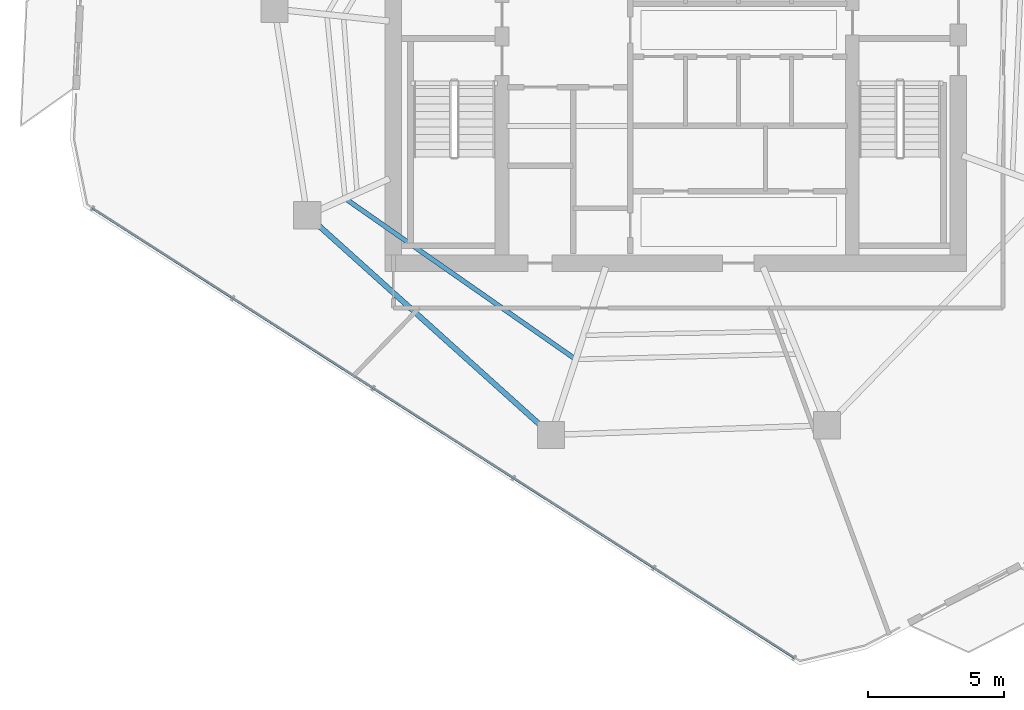
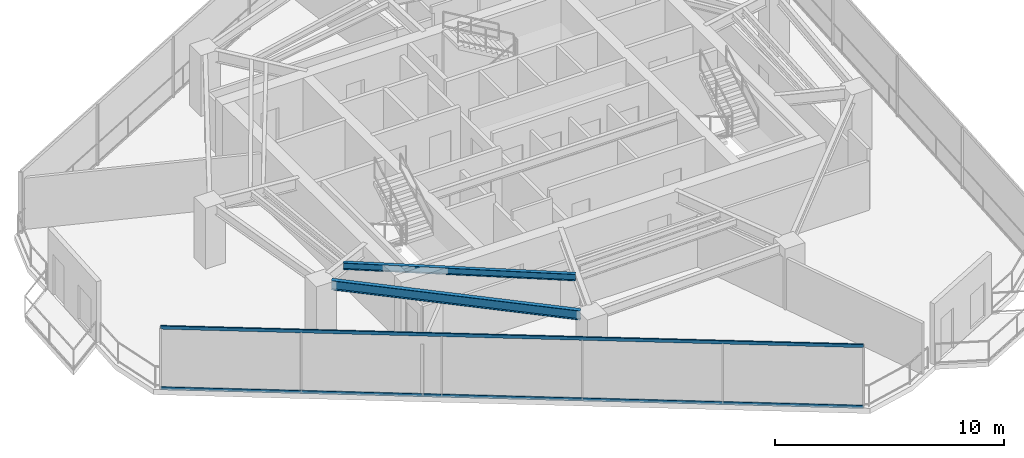
# One storey, part 3 of 20: 2 beams, 2 members, 1 element without a shape of its own.
"""IFC4 building model written with IfcOpenShell, lengths in metres."""

import ifcopenshell
import ifcopenshell.guid

model = None  # the IFC model being written
_history = None  # IfcOwnerHistory: only IFC2X3 demands one
_inside = {}  # id of a spatial element -> (the spatial element, [elements in it])
_under = {}  # id of a project, library or spatial element -> (it, [spatial elements below it])
_declared = {}  # id of a project -> (the project, [libraries it declares])
_typed = {}  # id of a type object -> (the type object, [elements of that type])
_made_of = {}  # id of a material, layer set ... -> (it, [elements and type objects made of it])


def new_model(schema):
    """Start an empty IFC model of exactly this schema.

    Asked for "IFC4X3", IfcOpenShell would pick the latest addendum, in which some entities
    have other attributes; the version numbers below select the first issue.
    IFC2X3 requires an IfcOwnerHistory on every rooted entity: one is made here for all.
    """
    global model, _history
    if schema == "IFC4X3":
        model = ifcopenshell.file(schema_version=(4, 3, 0, 0))
    else:
        model = ifcopenshell.file(schema=schema)
    _inside.clear()
    _under.clear()
    _declared.clear()
    _typed.clear()
    _made_of.clear()
    _history = None
    if model.schema == "IFC2X3":
        org = make("IfcOrganization", Name="unknown")
        user = make(
            "IfcPersonAndOrganization",
            ThePerson=make("IfcPerson", FamilyName="unknown"),
            TheOrganization=org,
        )
        app = make(
            "IfcApplication",
            ApplicationDeveloper=org,
            Version="unknown",
            ApplicationFullName="unknown",
            ApplicationIdentifier="unknown",
        )
        _history = make(
            "IfcOwnerHistory",
            OwningUser=user,
            OwningApplication=app,
            ChangeAction="ADDED",
            CreationDate=0,
        )
    return model


def make(cls, **values):
    """One entity of the class cls with the attributes given. An attribute that is None is left unset."""
    return model.create_entity(
        cls, **{name: value for name, value in values.items() if value is not None}
    )


def rooted(cls, **values):
    """An entity with a GlobalId (a new one), such as an element, a storey or a relation."""
    return make(cls, GlobalId=ifcopenshell.guid.new(), OwnerHistory=_history, **values)


def si_unit(unit_type, name, prefix=None):
    """IfcSIUnit, for example si_unit("LENGTHUNIT", "METRE", prefix="MILLI")."""
    return make("IfcSIUnit", UnitType=unit_type, Prefix=prefix, Name=name)


def assignment(units):
    """IfcUnitAssignment: the units of a project."""
    return None if units is None else make("IfcUnitAssignment", Units=units)


def point(xyz):
    """IfcCartesianPoint."""
    return None if xyz is None else make("IfcCartesianPoint", Coordinates=xyz)


def direction(xyz):
    """IfcDirection."""
    return None if xyz is None else make("IfcDirection", DirectionRatios=xyz)


def frame(location, z_axis=None, x_axis=None):
    """IfcAxis2Placement3D, a coordinate frame: its origin and axes. An axis left out is left unset."""
    return make(
        "IfcAxis2Placement3D",
        Location=point(location),
        Axis=direction(z_axis),
        RefDirection=direction(x_axis),
    )


def frame_2d(location, x_axis=None):
    """IfcAxis2Placement2D, a coordinate frame in the plane: its origin and x axis."""
    return make(
        "IfcAxis2Placement2D", Location=point(location), RefDirection=direction(x_axis)
    )


def origin():
    """The frame at (0, 0, 0) with its axes left unset."""
    return frame((0.0, 0.0, 0.0))


def origin_2d():
    """The frame at (0, 0) in the plane with its x axis left unset."""
    return frame_2d((0.0, 0.0))


def place(relative_to, where):
    """IfcLocalPlacement: puts the frame where relative to a parent placement (None: the world)."""
    return make(
        "IfcLocalPlacement", PlacementRelTo=relative_to, RelativePlacement=where
    )


def context(
    kind, dimensions, precision=None, world=None, true_north=None, identifier=None
):
    """IfcGeometricRepresentationContext, for example the 3D "Model" context."""
    return make(
        "IfcGeometricRepresentationContext",
        ContextIdentifier=identifier,
        ContextType=kind,
        CoordinateSpaceDimension=dimensions,
        Precision=precision,
        WorldCoordinateSystem=world,
        TrueNorth=true_north,
    )


def subcontext(parent, identifier, kind, view, scale=None):
    """IfcGeometricRepresentationSubContext, for example "Body" below "Model"."""
    return make(
        "IfcGeometricRepresentationSubContext",
        ContextIdentifier=identifier,
        ContextType=kind,
        ParentContext=parent,
        TargetScale=scale,
        TargetView=view,
    )


def project(units=None, contexts=None):
    """IfcProject with its units and contexts."""
    return rooted(
        "IfcProject",
        Name="project",
        RepresentationContexts=contexts,
        UnitsInContext=assignment(units),
    )


def spatial(cls, under=None, at=None, **own):
    """A site, building, storey or space (cls), placed at a placement, below another one or the project."""
    s = rooted(cls, ObjectPlacement=at, **own)
    if under is not None:
        _under.setdefault(under.id(), (under, []))[1].append(s)
    return s


def profile(cls, at=None, kind="AREA", **sizes):
    """A parametric profile (cls). Its sizes go by their IFC names, for example OverallWidth=200.0."""
    return make(cls, ProfileType=kind, Position=at, **sizes)


def hollow_rectangle(**sizes):
    """IfcRectangleHollowProfileDef."""
    return profile("IfcRectangleHollowProfileDef", **sizes)


def i_section(**sizes):
    """IfcIShapeProfileDef."""
    return profile("IfcIShapeProfileDef", **sizes)


def extrude(swept, where, along, depth):
    """IfcExtrudedAreaSolid: the profile swept, set in the frame where, extruded along a direction by depth."""
    return make(
        "IfcExtrudedAreaSolid",
        SweptArea=swept,
        Position=where,
        ExtrudedDirection=direction(along),
        Depth=depth,
    )


def shape(context_of_items, identifier, shape_type, items):
    """IfcShapeRepresentation: the items that make up one representation, for example the "Body"."""
    return make(
        "IfcShapeRepresentation",
        ContextOfItems=context_of_items,
        RepresentationIdentifier=identifier,
        RepresentationType=shape_type,
        Items=items,
    )


def material(Name=None, Category=None):
    """IfcMaterial."""
    return make("IfcMaterial", Name=Name, Category=Category)


def layer(
    of_material, thickness, ventilated=None, Name=None, Category=None, Priority=None
):
    """IfcMaterialLayer: one layer of a wall or slab, of a material (None: an air gap)."""
    return make(
        "IfcMaterialLayer",
        Material=of_material,
        LayerThickness=thickness,
        IsVentilated=ventilated,
        Name=Name,
        Category=Category,
        Priority=Priority,
    )


def layer_set(layers, Name=None):
    """IfcMaterialLayerSet."""
    return make("IfcMaterialLayerSet", MaterialLayers=layers, LayerSetName=Name)


def material_profile(
    of_material, cross_section, Name=None, Category=None, Priority=None
):
    """IfcMaterialProfile: a cross section and its material."""
    return make(
        "IfcMaterialProfile",
        Name=Name,
        Material=of_material,
        Profile=cross_section,
        Priority=Priority,
        Category=Category,
    )


def profile_set(profiles, Name=None, composite=None):
    """IfcMaterialProfileSet."""
    return make(
        "IfcMaterialProfileSet",
        Name=Name,
        MaterialProfiles=profiles,
        CompositeProfile=composite,
    )


def made_of(thing, what):
    """Note that an element or type object is made of a material, layer set ...; save() writes the relation."""
    if what is not None:
        _made_of.setdefault(what.id(), (what, []))[1].append(thing)
    return thing


def type_object(cls, material=None, **own):
    """A type object (cls), such as IfcWallType, which elements share."""
    return made_of(rooted(cls, **own), material)


def element(
    cls,
    number,
    at=None,
    inside=None,
    cuts=None,
    type_object=None,
    material=None,
    context=None,
    identifier="Body",
    shape_type=None,
    held_by="IfcProductDefinitionShape",
    body=None,
    shapes=None,
    **own,
):
    """One element of the class cls, such as IfcWall. Its Tag is "e" and its number.

    at: its placement. inside: the storey or other place that contains it. cuts: it is an
    opening in that element (IfcRelVoidsElement). A single representation is given by context,
    identifier, shape_type and body (its items); several are given by shapes. held_by: the class
    of the entity that holds the representations. save() writes the other relations.
    """
    e = rooted(cls, Tag="e%d" % number, ObjectPlacement=at, **own)
    if body is not None:
        shapes = [shape(context, identifier, shape_type, body)]
    if shapes is not None:
        e.Representation = make(held_by, Representations=shapes)
    if inside is not None:
        _inside.setdefault(inside.id(), (inside, []))[1].append(e)
    if cuts is not None:
        rooted(
            "IfcRelVoidsElement", RelatingBuildingElement=cuts, RelatedOpeningElement=e
        )
    if type_object is not None:
        _typed.setdefault(type_object.id(), (type_object, []))[1].append(e)
    return made_of(e, material)


def aggregate(whole, parts):
    """IfcRelAggregates: a whole, such as a stair, and the parts it consists of."""
    return rooted("IfcRelAggregates", RelatingObject=whole, RelatedObjects=parts)


def save(model, path):
    """Write the relations noted so far, then the file.

    IfcRelAggregates (storeys below a building ...), IfcRelContainedInSpatialStructure (elements
    in a storey), IfcRelDefinesByType, IfcRelAssociatesMaterial and IfcRelDeclares: one each for
    every whole, place, type object, material and project.
    """
    for whole, parts in _under.values():
        aggregate(whole, parts)
    for where, things in _inside.values():
        rooted(
            "IfcRelContainedInSpatialStructure",
            RelatedElements=things,
            RelatingStructure=where,
        )
    for kind, things in _typed.values():
        rooted("IfcRelDefinesByType", RelatedObjects=things, RelatingType=kind)
    for what, things in _made_of.values():
        rooted("IfcRelAssociatesMaterial", RelatedObjects=things, RelatingMaterial=what)
    for by, libraries in _declared.values():
        rooted("IfcRelDeclares", RelatingContext=by, RelatedDefinitions=libraries)
    model.write(path)


model = new_model("IFC4")

# Units and contexts
model_context = context("Model", 3, precision=1e-05, world=origin(), true_north=direction((0.0, 1.0)))
body_context = subcontext(model_context, "Body", "Model", "MODEL_VIEW")
ifc_project = project(units=[si_unit("LENGTHUNIT", "METRE"), si_unit("AREAUNIT", "SQUARE_METRE"), si_unit("VOLUMEUNIT", "CUBIC_METRE"), si_unit("PLANEANGLEUNIT", "RADIAN"), si_unit("MASSUNIT", "GRAM", prefix="KILO")], contexts=[model_context])

# Site, building, storey
site_placement = place(None, origin())
site = spatial("IfcSite", under=ifc_project, at=site_placement, CompositionType="ELEMENT")
building_placement = place(site_placement, origin())
building = spatial("IfcBuilding", under=site, at=building_placement, Name="Qarnah Convention Tower", CompositionType="ELEMENT")
storey_placement = place(building_placement, frame((0.0, 0.0, 168.89990234375)))
storey = spatial("IfcBuildingStorey", under=building, at=storey_placement, Name="L45", CompositionType="ELEMENT", Elevation=168.89990234375)

# Beams
ifc_material_1 = material(Name="Structural steel S355JR", Category="steel")
ifc_material_profile_1 = material_profile(ifc_material_1, i_section(OverallWidth=0.172119140625, OverallDepth=0.35595703125, WebThickness=0.007080078125, FlangeThickness=0.011962890625, at=origin_2d()), Name="W360X51")
ifc_profile_set_1 = profile_set([ifc_material_profile_1], Name="Structural steel S355JR")
beam_type_1 = type_object("IfcBeamType", Name="BM-JST-W360", PredefinedType="JOIST", material=ifc_profile_set_1)
beam_1_placement = place(storey_placement, frame((25.10107421875, 20.928955078125, 3.06201171875), z_axis=(0.820110709976, -0.572204878852, 0.0), x_axis=(0.572204878852, 0.820110709976, 0.0)))
element("IfcBeam", 1, at=beam_1_placement, inside=storey, type_object=beam_type_1, Name="L45 joist BM-L45-SJST-06", PredefinedType="JOIST", context=body_context, shape_type="SweptSolid", body=[
    extrude(i_section(OverallWidth=0.172119140625, OverallDepth=0.35595703125, WebThickness=0.007080078125, FlangeThickness=0.011962890625, at=origin_2d()), origin(), (0.0, 0.0, 1.0), 10.169189453125),
])
ifc_material_profile_2 = material_profile(ifc_material_1, i_section(OverallWidth=0.199951171875, OverallDepth=0.5, WebThickness=0.010009765625, FlangeThickness=0.01611328125, at=origin_2d()), Name="IPE500")
ifc_profile_set_2 = profile_set([ifc_material_profile_2], Name="Structural steel S355JR")
beam_type_2 = type_object("IfcBeamType", Name="BM-SPN-IPE500", PredefinedType="SPANDREL", material=ifc_profile_set_2)
beam_2_placement = place(storey_placement, frame((23.998046875, 20.031982421875, 2.989990234375), z_axis=(0.743165079224, -0.66910811161, 0.0), x_axis=(0.66910811161, 0.743165079224, 0.0)))
element("IfcBeam", 2, at=beam_2_placement, inside=storey, type_object=beam_type_2, Name="L45 spandrel BM-L45-SPN-06", PredefinedType="SPANDREL", context=body_context, shape_type="SweptSolid", body=[
    extrude(i_section(OverallWidth=0.199951171875, OverallDepth=0.5, WebThickness=0.010009765625, FlangeThickness=0.01611328125, at=origin_2d()), origin(), (0.0, 0.0, 1.0), 11.099853515625),
])

# Curtain wall, members
ifc_material_2 = material(Name="Tempered Low-E dark glass", Category="glass")
ifc_layer = layer(ifc_material_2, 0.172119140625)
ifc_layer_set = layer_set([ifc_layer], Name="Tempered Low-E dark glass")
curtain_wall_type = type_object("IfcCurtainWallType", Name="CWS-03", PredefinedType="NOTDEFINED", material=ifc_layer_set)
curtain_wall_placement = place(storey_placement, origin())
curtain_wall = element("IfcCurtainWall", 3, at=curtain_wall_placement, inside=storey, type_object=curtain_wall_type, Name="L45 unitised curtain wall CW-L45-F1", PredefinedType="NOTDEFINED")
ifc_material_3 = material(Name="Black anodised aluminium", Category="aluminium")
ifc_material_profile_3 = material_profile(ifc_material_3, hollow_rectangle(XDim=0.070068359375, YDim=0.169921875, WallThickness=0.0048828125, at=origin_2d()), Name="TRN-70X170")
ifc_profile_set_3 = profile_set([ifc_material_profile_3], Name="Black anodised aluminium")
member_type = type_object("IfcMemberType", Name="TRN-T3", PredefinedType="USERDEFINED", material=ifc_profile_set_3)
member_1_placement = place(storey_placement, frame((41.554931640625, 4.070068359375, 0.0), z_axis=(-0.842082301149, 0.53934905033, 0.0), x_axis=(-0.53934905033, -0.842082301149, 0.0)))
member_1 = element("IfcMember", 4, at=member_1_placement, type_object=member_type, Name="CW-L45-F1 transom 1", ObjectType="TRANSOM", PredefinedType="USERDEFINED", context=body_context, shape_type="SweptSolid", body=[
    extrude(hollow_rectangle(XDim=0.070068359375, YDim=0.169921875, WallThickness=0.0048828125, at=origin_2d()), origin(), (0.0, 0.0, 1.0), 30.677490234375),
])
member_2_placement = place(storey_placement, frame((41.554931640625, 4.070068359375, 3.239990234375), z_axis=(-0.842082301149, 0.53934905033, 0.0), x_axis=(-0.53934905033, -0.842082301149, 0.0)))
member_2 = element("IfcMember", 5, at=member_2_placement, type_object=member_type, Name="CW-L45-F1 transom 2", ObjectType="TRANSOM", PredefinedType="USERDEFINED", context=body_context, shape_type="SweptSolid", body=[
    extrude(hollow_rectangle(XDim=0.070068359375, YDim=0.169921875, WallThickness=0.0048828125, at=origin_2d()), origin(), (0.0, 0.0, 1.0), 30.677490234375),
])
aggregate(curtain_wall, [member_1, member_2])

save(model, "model.ifc")
